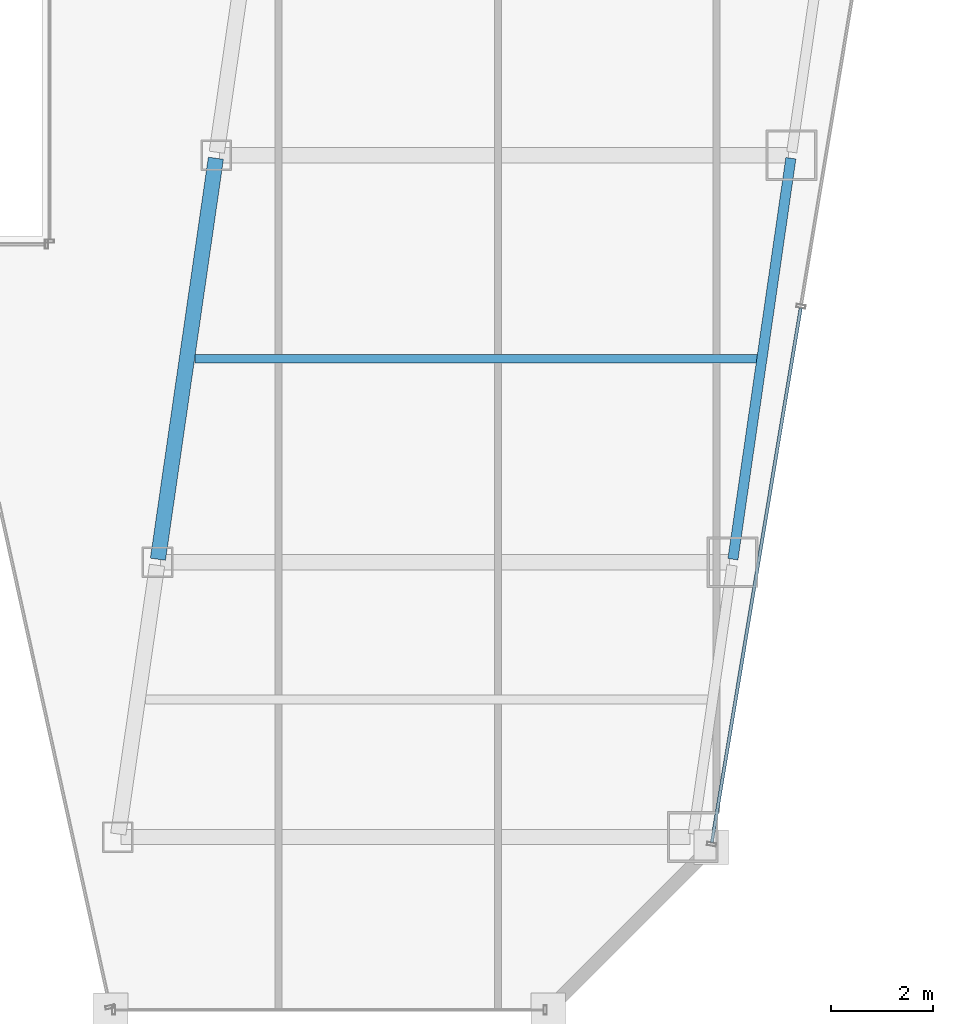
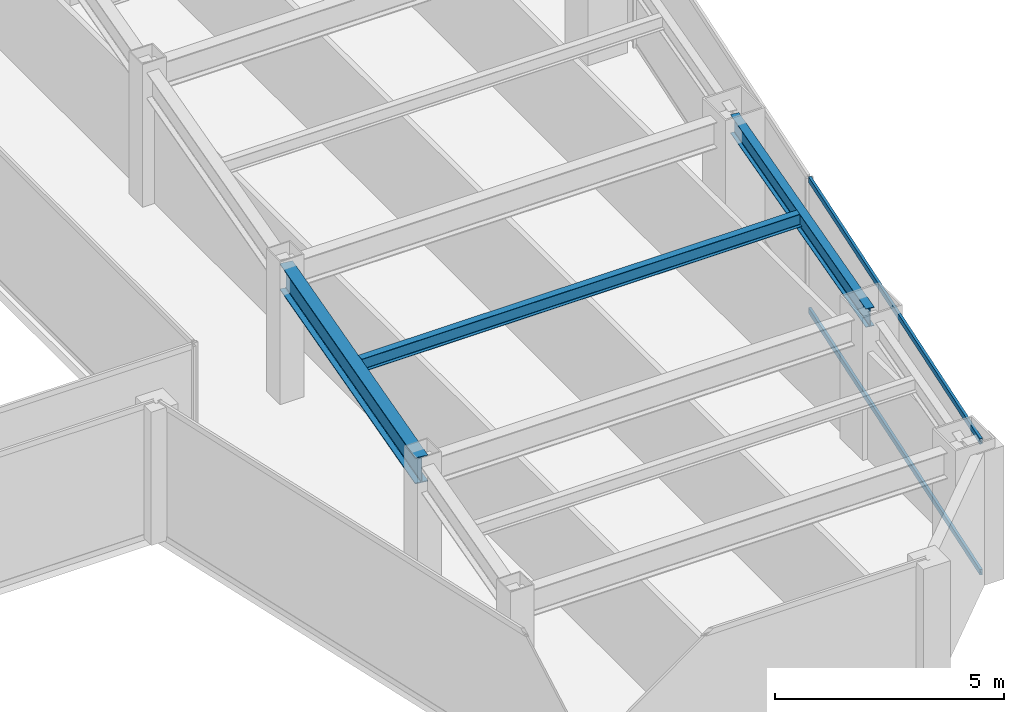
# One storey, part 15 of 37: 3 beams, 2 members, 1 element without a shape of its own.
"""IFC4 building model written with IfcOpenShell, lengths in metres."""

from ifc_helpers import new_model, si_unit, direction, frame, origin, origin_2d, place, context, subcontext, project, spatial, hollow_rectangle, i_section, extrude, material, material_profile, profile_set, type_object, element, aggregate, save


model = new_model("IFC4")

# Units and contexts
model_context = context("Model", 3, precision=1e-05, world=origin(), true_north=direction((0.0, 1.0)))
body_context = subcontext(model_context, "Body", "Model", "MODEL_VIEW")
ifc_project = project(units=[si_unit("LENGTHUNIT", "METRE"), si_unit("AREAUNIT", "SQUARE_METRE"), si_unit("VOLUMEUNIT", "CUBIC_METRE"), si_unit("PLANEANGLEUNIT", "RADIAN"), si_unit("MASSUNIT", "GRAM", prefix="KILO")], contexts=[model_context])

# Site, building, storey
site_placement = place(None, origin())
site = spatial("IfcSite", under=ifc_project, at=site_placement, CompositionType="ELEMENT")
building_placement = place(site_placement, origin())
building = spatial("IfcBuilding", under=site, at=building_placement, Name="Saevonmaru Cultural Tower", CompositionType="ELEMENT")
storey_placement = place(building_placement, frame((0.0, 0.0, 144.800048828125)))
storey = spatial("IfcBuildingStorey", under=building, at=storey_placement, Name="L31", CompositionType="ELEMENT", Elevation=144.800048828125)

# Beams
ifc_material_1 = material(Name="Steel SM355", Category="steel")
ifc_material_profile_1 = material_profile(ifc_material_1, i_section(OverallWidth=0.300048828125, OverallDepth=0.699951171875, WebThickness=0.012939453125, FlangeThickness=0.02392578125, FilletRadius=0.02587890625, at=origin_2d()), Name="H-700x300x13x24")
ifc_profile_set_1 = profile_set([ifc_material_profile_1], Name="Steel SM355")
beam_type_1 = type_object("IfcBeamType", Name="BM-G-H700", PredefinedType="BEAM", material=ifc_profile_set_1)
beam_1_placement = place(storey_placement, frame((38.08056640625, 16.059326171875, 3.199951171875), z_axis=(0.143022161059, 0.989719486241, 0.0), x_axis=(-0.989719486241, 0.143022161059, 0.0)))
element("IfcBeam", 1, at=beam_1_placement, inside=storey, type_object=beam_type_1, Name="L31 East Atrium Girder 2", PredefinedType="BEAM", context=body_context, shape_type="SweptSolid", body=[
    extrude(i_section(OverallWidth=0.300048828125, OverallDepth=0.699951171875, WebThickness=0.012939453125, FlangeThickness=0.02392578125, FilletRadius=0.02587890625, at=origin_2d()), origin(), (0.0, 0.0, 1.0), 7.963134765625),
])
ifc_material_profile_2 = material_profile(ifc_material_1, i_section(OverallWidth=0.175048828125, OverallDepth=0.35009765625, WebThickness=0.007080078125, FlangeThickness=0.010986328125, FilletRadius=0.012939453125, at=origin_2d()), Name="H-350x175x7x11")
ifc_profile_set_2 = profile_set([ifc_material_profile_2], Name="Steel SM355")
beam_type_2 = type_object("IfcBeamType", Name="BM-J-H350", PredefinedType="JOIST", material=ifc_profile_set_2)
beam_2_placement = place(storey_placement, frame((38.80810546875, 20.0, 3.375), z_axis=(1.0, 0.0, 0.0), x_axis=(0.0, 1.0, 0.0)))
element("IfcBeam", 2, at=beam_2_placement, inside=storey, type_object=beam_type_2, Name="L31 East Wing Floor Joist 2", PredefinedType="JOIST", context=body_context, shape_type="SweptSolid", body=[
    extrude(i_section(OverallWidth=0.175048828125, OverallDepth=0.35009765625, WebThickness=0.007080078125, FlangeThickness=0.010986328125, FilletRadius=0.012939453125, at=origin_2d()), origin(), (0.0, 0.0, 1.0), 11.081787109375),
])
ifc_material_profile_3 = material_profile(ifc_material_1, i_section(OverallWidth=0.199951171875, OverallDepth=0.5, WebThickness=0.010009765625, FlangeThickness=0.01611328125, FilletRadius=0.02001953125, at=origin_2d()), Name="H-500x200x10x16")
ifc_profile_set_3 = profile_set([ifc_material_profile_3], Name="Steel SM355")
beam_type_3 = type_object("IfcBeamType", Name="BM-SP-H500", PredefinedType="SPANDREL", material=ifc_profile_set_3)
beam_3_placement = place(storey_placement, frame((49.380615234375, 16.059326171875, 3.300048828125), z_axis=(0.142992129437, 0.989723825579, 0.0), x_axis=(-0.989723825579, 0.142992129437, 0.0)))
element("IfcBeam", 3, at=beam_3_placement, inside=storey, type_object=beam_type_3, Name="L31 East Splayed Spandrel 2", PredefinedType="SPANDREL", context=body_context, shape_type="SweptSolid", body=[
    extrude(i_section(OverallWidth=0.199951171875, OverallDepth=0.5, WebThickness=0.010009765625, FlangeThickness=0.01611328125, FilletRadius=0.02001953125, at=origin_2d()), origin(), (0.0, 0.0, 1.0), 7.963134765625),
])

# Curtain wall, members
ifc_material_2 = material(Name="Satin Bronze Anodised Aluminium", Category="aluminium")
curtain_wall_type = type_object("IfcCurtainWallType", Name="CW-TYP-A", PredefinedType="NOTDEFINED", material=ifc_material_2)
curtain_wall_placement = place(storey_placement, origin())
curtain_wall = element("IfcCurtainWall", 4, at=curtain_wall_placement, inside=storey, type_object=curtain_wall_type, Name="L31 Unitised Curtain Wall E8", PredefinedType="NOTDEFINED")
ifc_material_profile_4 = material_profile(ifc_material_2, hollow_rectangle(XDim=0.06494140625, YDim=0.14990234375, WallThickness=0.00390625, at=origin_2d()), Name="ALU-TRAN-150x65x4")
ifc_profile_set_4 = profile_set([ifc_material_profile_4], Name="Satin Bronze Anodised Aluminium")
member_type = type_object("IfcMemberType", Name="TR-CW-150x65", PredefinedType="USERDEFINED", material=ifc_profile_set_4)
member_1_placement = place(storey_placement, frame((48.96630859375, 10.4912109375, 0.032470703125), z_axis=(0.163990079074, 0.9864619881, 0.0), x_axis=(-0.9864619881, 0.163990079074, 0.0)))
member_1 = element("IfcMember", 5, at=member_1_placement, type_object=member_type, Name="CW-TW-L31-E8 transom 1.1", ObjectType="TRANSOM", PredefinedType="USERDEFINED", context=body_context, shape_type="SweptSolid", body=[
    extrude(hollow_rectangle(XDim=0.06494140625, YDim=0.14990234375, WallThickness=0.00390625, at=origin_2d()), origin(), (0.0, 0.0, 1.0), 10.650634765625),
])
member_2_placement = place(storey_placement, frame((48.96630859375, 10.4912109375, 3.517333984375), z_axis=(0.163990079074, 0.9864619881, 0.0), x_axis=(-0.9864619881, 0.163990079074, 0.0)))
member_2 = element("IfcMember", 6, at=member_2_placement, type_object=member_type, Name="CW-TW-L31-E8 transom 1.2", ObjectType="TRANSOM", PredefinedType="USERDEFINED", context=body_context, shape_type="SweptSolid", body=[
    extrude(hollow_rectangle(XDim=0.06494140625, YDim=0.14990234375, WallThickness=0.00390625, at=origin_2d()), origin(), (0.0, 0.0, 1.0), 10.650634765625),
])
aggregate(curtain_wall, [member_1, member_2])

save(model, "model.ifc")
